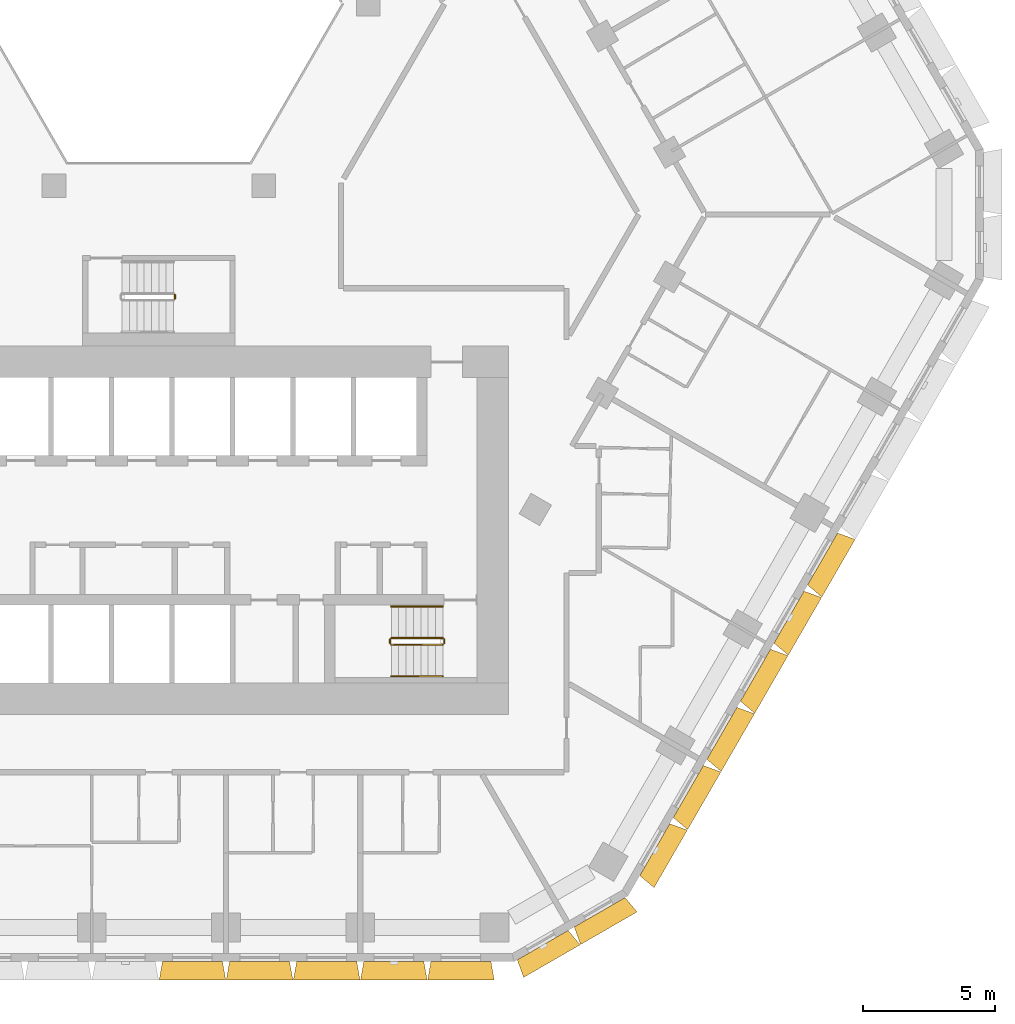
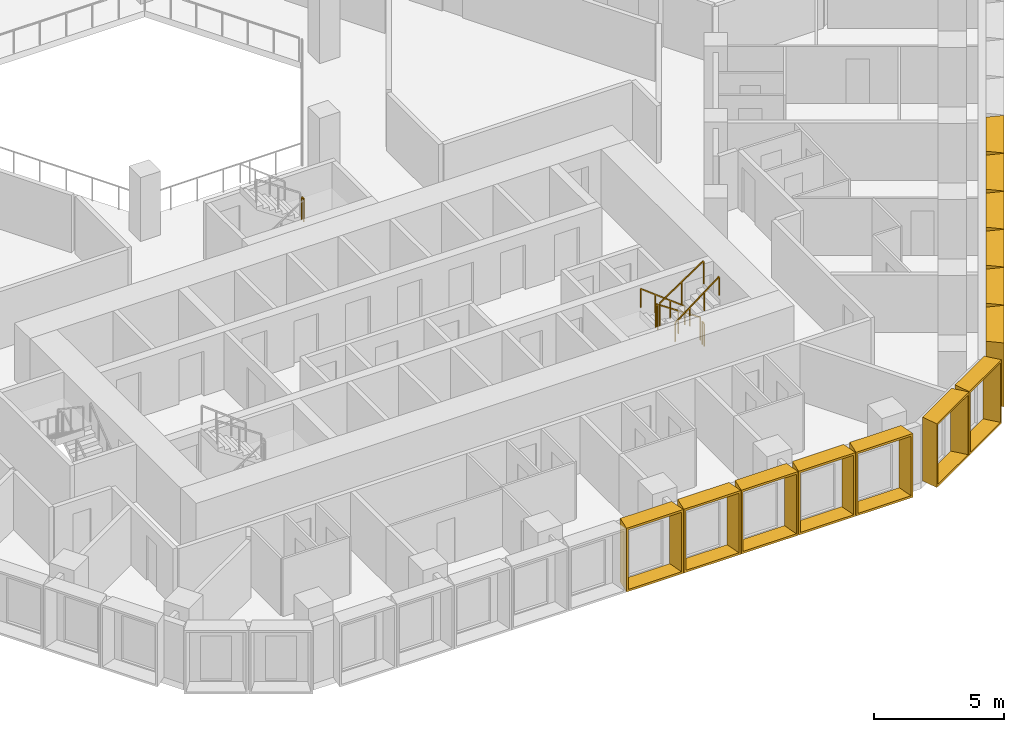
# One storey, part 20 of 21: 13 shading devices, 7 railings.
"""IFC4 building model written with IfcOpenShell, lengths in metres."""

from ifc_helpers import new_model, entity, si_unit, direction, frame, origin, origin_2d, place, context, subcontext, project, spatial, rectangle, extrude, source, transform, mapped, material, type_object, type_shapes, element, save


model = new_model("IFC4")

# Units and contexts
model_context = context("Model", 3, precision=1e-05, world=origin(), true_north=direction((0.0, 1.0)))
body_context = subcontext(model_context, "Body", "Model", "MODEL_VIEW")
ifc_project = project(units=[si_unit("LENGTHUNIT", "METRE"), si_unit("AREAUNIT", "SQUARE_METRE"), si_unit("VOLUMEUNIT", "CUBIC_METRE"), si_unit("PLANEANGLEUNIT", "RADIAN"), si_unit("MASSUNIT", "GRAM", prefix="KILO")], contexts=[model_context])

# Site, building, storey
site_placement = place(None, origin())
site = spatial("IfcSite", under=ifc_project, at=site_placement, CompositionType="ELEMENT")
building_placement = place(site_placement, origin())
building = spatial("IfcBuilding", under=site, at=building_placement, Name="Beryl Residences", CompositionType="ELEMENT")
storey_placement = place(building_placement, frame((0.0, 0.0, 35.39990234375)))
storey = spatial("IfcBuildingStorey", under=building, at=storey_placement, Name="L10", CompositionType="ELEMENT", Elevation=35.39990234375)

# Shading devices
ifc_material_1 = material(Name="Aluminium pale anodised", Category="aluminium")
shading_device_type_1 = type_object("IfcShadingDeviceType", Name="FR250-70A OUTER SKIN frame 700 mm deep, splay 10/10 deg, 2500 x 3000 mm cell", PredefinedType="USERDEFINED", material=ifc_material_1)
cartesian_point_1 = entity("IfcCartesianPoint", [-1.116455078125, 0.0])
cartesian_point_2 = entity("IfcCartesianPoint", [-1.03515625, 0.10009765625])
cartesian_point_3 = entity("IfcCartesianPoint", [-1.239990234375, 0.0])
cartesian_point_4 = entity("IfcCartesianPoint", [-1.15869140625, 0.10009765625])
shared_shape_1 = source(origin(), body_context, "Body", "SweptSolid", [
    entity("IfcExtrudedAreaSolidTapered", entity("IfcArbitraryProfileDefWithVoids", "AREA", None, entity("IfcPolyline", [cartesian_point_1, entity("IfcCartesianPoint", [1.116455078125, 0.0]), entity("IfcCartesianPoint", [1.116455078125, 3.0]), entity("IfcCartesianPoint", [-1.116455078125, 3.0]), cartesian_point_1]), [entity("IfcPolyline", [cartesian_point_2, entity("IfcCartesianPoint", [1.03515625, 0.10009765625]), entity("IfcCartesianPoint", [1.03515625, 2.89990234375]), entity("IfcCartesianPoint", [-1.03515625, 2.89990234375]), cartesian_point_2])]), entity("IfcAxis2Placement3D", entity("IfcCartesianPoint", [0.0, 0.0, 0.0]), entity("IfcDirection", [0.0, 1.0, 0.0]), entity("IfcDirection", [-1.0, 0.0, 0.0])), entity("IfcDirection", [0.0, 0.0, 1.0]), 0.699951171875, entity("IfcArbitraryProfileDefWithVoids", "AREA", None, entity("IfcPolyline", [cartesian_point_3, entity("IfcCartesianPoint", [1.239990234375, 0.0]), entity("IfcCartesianPoint", [1.239990234375, 3.0]), entity("IfcCartesianPoint", [-1.239990234375, 3.0]), cartesian_point_3]), [entity("IfcPolyline", [cartesian_point_4, entity("IfcCartesianPoint", [1.15869140625, 0.10009765625]), entity("IfcCartesianPoint", [1.15869140625, 2.89990234375]), entity("IfcCartesianPoint", [-1.15869140625, 2.89990234375]), cartesian_point_4])])),
])
type_shapes(shading_device_type_1, [shared_shape_1])
for number, where, z_axis, x_axis, name in (
    (1, (14.593017578125, -27.77490234375, 0.0), (0.0, 0.0, 1.0), (-0.866025403784, -0.5, 0.0), "FR250-70A frame L10 S-SE 1"),
    (2, (16.758056640625, -26.52490234375, 0.0), (0.0, 0.0, 1.0), (-0.866025403784, -0.5, 0.0), "FR250-70A frame L10 S-SE 2"),
):
    element("IfcShadingDevice", number, at=place(storey_placement, frame(where, z_axis=z_axis, x_axis=x_axis)), inside=storey, type_object=shading_device_type_1, Name=name, ObjectType="OUTER SKIN", PredefinedType="USERDEFINED", context=body_context, shape_type="MappedRepresentation", body=[
        mapped(shared_shape_1, transform((0.0, 0.0, 0.0))),
    ])
ifc_material_2 = material(Name="Aluminium pale anodised", Category="aluminium")
shading_device_type_2 = type_object("IfcShadingDeviceType", Name="FR255-70A OUTER SKIN frame 700 mm deep, splay 10/10 deg, 2550 x 3000 mm cell", PredefinedType="USERDEFINED", material=ifc_material_2)
cartesian_point_5 = entity("IfcCartesianPoint", [-1.1416015625, 0.0])
cartesian_point_6 = entity("IfcCartesianPoint", [-1.060302734375, 0.10009765625])
cartesian_point_7 = entity("IfcCartesianPoint", [-1.264892578125, 0.0])
cartesian_point_8 = entity("IfcCartesianPoint", [-1.18359375, 0.10009765625])
shared_shape_2 = source(origin(), body_context, "Body", "SweptSolid", [
    entity("IfcExtrudedAreaSolidTapered", entity("IfcArbitraryProfileDefWithVoids", "AREA", None, entity("IfcPolyline", [cartesian_point_5, entity("IfcCartesianPoint", [1.1416015625, 0.0]), entity("IfcCartesianPoint", [1.1416015625, 3.0]), entity("IfcCartesianPoint", [-1.1416015625, 3.0]), cartesian_point_5]), [entity("IfcPolyline", [cartesian_point_6, entity("IfcCartesianPoint", [1.060302734375, 0.10009765625]), entity("IfcCartesianPoint", [1.060302734375, 2.89990234375]), entity("IfcCartesianPoint", [-1.060302734375, 2.89990234375]), cartesian_point_6])]), entity("IfcAxis2Placement3D", entity("IfcCartesianPoint", [0.0, 0.0, 0.0]), entity("IfcDirection", [0.0, 1.0, 0.0]), entity("IfcDirection", [-1.0, 0.0, 0.0])), entity("IfcDirection", [0.0, 0.0, 1.0]), 0.699951171875, entity("IfcArbitraryProfileDefWithVoids", "AREA", None, entity("IfcPolyline", [cartesian_point_7, entity("IfcCartesianPoint", [1.264892578125, 0.0]), entity("IfcCartesianPoint", [1.264892578125, 3.0]), entity("IfcCartesianPoint", [-1.264892578125, 3.0]), cartesian_point_7]), [entity("IfcPolyline", [cartesian_point_8, entity("IfcCartesianPoint", [1.18359375, 0.10009765625]), entity("IfcCartesianPoint", [1.18359375, 2.89990234375]), entity("IfcCartesianPoint", [-1.18359375, 2.89990234375]), cartesian_point_8])])),
])
type_shapes(shading_device_type_2, [shared_shape_2])
for number, where, z_axis, x_axis, name in (
    (3, (1.277099609375, -28.39990234375, 0.0), (0.0, 0.0, 1.0), (-1.0, 0.0, 0.0), "FR255-70A frame L10 S 6"),
    (4, (3.8291015625, -28.39990234375, 0.0), (0.0, 0.0, 1.0), (-1.0, 0.0, 0.0), "FR255-70A frame L10 S 7"),
    (5, (6.381103515625, -28.39990234375, 0.0), (0.0, 0.0, 1.0), (-1.0, 0.0, 0.0), "FR255-70A frame L10 S 8"),
    (6, (8.93310546875, -28.39990234375, 0.0), (0.0, 0.0, 1.0), (-1.0, 0.0, 0.0), "FR255-70A frame L10 S 9"),
    (7, (11.485107421875, -28.39990234375, 0.0), (0.0, 0.0, 1.0), (-1.0, 0.0, 0.0), "FR255-70A frame L10 S 10"),
    (8, (18.85400390625, -24.14501953125, 0.0), (0.0, 0.0, 1.0), (-0.5, -0.866025403784, 0.0), "FR255-70A frame L10 SE 1"),
    (9, (20.1298828125, -21.93505859375, 0.0), (0.0, 0.0, 1.0), (-0.5, -0.866025403784, 0.0), "FR255-70A frame L10 SE 2"),
    (10, (21.406005859375, -19.72412109375, 0.0), (0.0, 0.0, 1.0), (-0.5, -0.866025403784, 0.0), "FR255-70A frame L10 SE 3"),
    (11, (22.681884765625, -17.513916015625, 0.0), (0.0, 0.0, 1.0), (-0.5, -0.866025403784, 0.0), "FR255-70A frame L10 SE 4"),
    (12, (23.9580078125, -15.303955078125, 0.0), (0.0, 0.0, 1.0), (-0.5, -0.866025403784, 0.0), "FR255-70A frame L10 SE 5"),
    (13, (25.23291015625, -13.093994140625, 0.0), (0.0, 0.0, 1.0), (-0.5, -0.866025403784, 0.0), "FR255-70A frame L10 SE 6"),
):
    element("IfcShadingDevice", number, at=place(storey_placement, frame(where, z_axis=z_axis, x_axis=x_axis)), inside=storey, type_object=shading_device_type_2, Name=name, ObjectType="OUTER SKIN", PredefinedType="USERDEFINED", context=body_context, shape_type="MappedRepresentation", body=[
        mapped(shared_shape_2, transform((0.0, 0.0, 0.0))),
    ])

# Railings
ifc_material_3 = material(Name="Stainless steel balustrade with glass infill", Category="steel")
railing_type_1 = type_object("IfcRailingType", Name="SG1 stair guard 1100 mm", PredefinedType="GUARDRAIL", material=ifc_material_3)
railing_1_placement = place(storey_placement, frame((10.800048828125, -16.10009765625, 0.1875)))
element("IfcRailing", 14, at=railing_1_placement, inside=storey, type_object=railing_type_1, Name="L10 ST-3 stair guard 1", PredefinedType="GUARDRAIL", context=body_context, shape_type="SweptSolid", body=[
    extrude(rectangle(XDim=0.048095703125, YDim=0.048095703125, at=origin_2d()), frame((0.0, 0.0, 1.076171875), z_axis=(-0.830902050051, 0.0, 0.556418712142), x_axis=(0.0, -1.0, 0.0)), (0.0, 0.0, 1.0), 2.35888671875),
    extrude(rectangle(XDim=0.0419921875, YDim=0.0419921875, at=origin_2d()), origin(), (0.0, 0.0, 1.0), 1.052001953125),
    extrude(rectangle(XDim=0.0419921875, YDim=0.0419921875, at=origin_2d()), frame((-0.97998046875, 0.0, 0.65625)), (0.0, 0.0, 1.0), 1.052001953125),
    extrude(rectangle(XDim=0.0419921875, YDim=0.0419921875, at=origin_2d()), frame((-1.9599609375, 0.0, 1.3125)), (0.0, 0.0, 1.0), 1.052001953125),
])
railing_2_placement = place(storey_placement, frame((8.7900390625, -16.14990234375, 1.5)))
element("IfcRailing", 15, at=railing_2_placement, inside=storey, type_object=railing_type_1, Name="L10 ST-3 stair guard 2", PredefinedType="GUARDRAIL", context=body_context, shape_type="SweptSolid", body=[
    extrude(rectangle(XDim=0.048095703125, YDim=0.048095703125, at=origin_2d()), frame((0.0, 0.0, 1.076171875), z_axis=(0.0, -1.0, 0.0), x_axis=(1.0, 0.0, 0.0)), (0.0, 0.0, 1.0), 0.150146484375),
    extrude(rectangle(XDim=0.0419921875, YDim=0.0419921875, at=origin_2d()), origin(), (0.0, 0.0, 1.0), 1.052001953125),
    extrude(rectangle(XDim=0.0419921875, YDim=0.0419921875, at=origin_2d()), frame((0.0, -0.150146484375, 0.0)), (0.0, 0.0, 1.0), 1.052001953125),
])
railing_3_placement = place(storey_placement, frame((8.840087890625, -16.35009765625, 1.6875)))
element("IfcRailing", 16, at=railing_3_placement, inside=storey, type_object=railing_type_1, Name="L10 ST-3 stair guard 3", PredefinedType="GUARDRAIL", context=body_context, shape_type="SweptSolid", body=[
    extrude(rectangle(XDim=0.048095703125, YDim=0.048095703125, at=origin_2d()), frame((0.0, 0.0, 1.076171875), z_axis=(0.830902050051, 0.0, 0.556418712142), x_axis=(0.0, 1.0, 0.0)), (0.0, 0.0, 1.0), 2.35888671875),
    extrude(rectangle(XDim=0.0419921875, YDim=0.0419921875, at=origin_2d()), origin(), (0.0, 0.0, 1.0), 1.052001953125),
    extrude(rectangle(XDim=0.0419921875, YDim=0.0419921875, at=origin_2d()), frame((0.97998046875, 0.0, 0.65625)), (0.0, 0.0, 1.0), 1.052001953125),
    extrude(rectangle(XDim=0.0419921875, YDim=0.0419921875, at=origin_2d()), frame((1.9599609375, 0.0, 1.3125)), (0.0, 0.0, 1.0), 1.052001953125),
])
railing_4_placement = place(storey_placement, frame((10.85009765625, -16.14990234375, 0.0)))
element("IfcRailing", 17, at=railing_4_placement, inside=storey, type_object=railing_type_1, Name="L10 ST-3 stair guard 4", PredefinedType="GUARDRAIL", context=body_context, shape_type="SweptSolid", body=[
    extrude(rectangle(XDim=0.048095703125, YDim=0.048095703125, at=origin_2d()), frame((0.0, 0.0, 1.076171875), z_axis=(0.0, -1.0, 0.0), x_axis=(1.0, 0.0, 0.0)), (0.0, 0.0, 1.0), 0.150146484375),
    extrude(rectangle(XDim=0.0419921875, YDim=0.0419921875, at=origin_2d()), origin(), (0.0, 0.0, 1.0), 1.052001953125),
    extrude(rectangle(XDim=0.0419921875, YDim=0.0419921875, at=origin_2d()), frame((0.0, -0.150146484375, 0.0)), (0.0, 0.0, 1.0), 1.052001953125),
])
railing_5_placement = place(storey_placement, frame((0.610107421875, -3.199951171875, 1.5)))
element("IfcRailing", 18, at=railing_5_placement, inside=storey, type_object=railing_type_1, Name="L10 ST-4 stair guard 2", PredefinedType="GUARDRAIL", context=body_context, shape_type="SweptSolid", body=[
    extrude(rectangle(XDim=0.048095703125, YDim=0.048095703125, at=origin_2d()), frame((0.0, 0.0, 1.076171875), z_axis=(0.0, 1.0, 0.0), x_axis=(-1.0, 0.0, 0.0)), (0.0, 0.0, 1.0), 0.14990234375),
    extrude(rectangle(XDim=0.0419921875, YDim=0.0419921875, at=origin_2d()), origin(), (0.0, 0.0, 1.0), 1.052001953125),
    extrude(rectangle(XDim=0.0419921875, YDim=0.0419921875, at=origin_2d()), frame((0.0, 0.14990234375, 0.0)), (0.0, 0.0, 1.0), 1.052001953125),
])
ifc_material_4 = material(Name="Stainless steel handrail", Category="steel")
railing_type_2 = type_object("IfcRailingType", Name="SRL1 stair handrail 900 mm", PredefinedType="HANDRAIL", material=ifc_material_4)
railing_6_placement = place(storey_placement, frame((10.800048828125, -14.89990234375, 0.1875)))
element("IfcRailing", 19, at=railing_6_placement, inside=storey, type_object=railing_type_2, Name="L10 ST-3 stair handrail 1", PredefinedType="HANDRAIL", context=body_context, shape_type="SweptSolid", body=[
    extrude(rectangle(XDim=0.048095703125, YDim=0.048095703125, at=origin_2d()), frame((0.0, 0.0, 0.8759765625), z_axis=(-0.794121922505, 0.0, 0.607758481798), x_axis=(0.0, -1.0, 0.0)), (0.0, 0.0, 1.0), 2.468017578125),
    extrude(rectangle(XDim=0.0419921875, YDim=0.0419921875, at=origin_2d()), origin(), (0.0, 0.0, 1.0), 0.851806640625),
    extrude(rectangle(XDim=0.0419921875, YDim=0.0419921875, at=origin_2d()), frame((-0.6533203125, 0.0, 0.5)), (0.0, 0.0, 1.0), 0.851806640625),
    extrude(rectangle(XDim=0.0419921875, YDim=0.0419921875, at=origin_2d()), frame((-1.306640625, 0.0, 1.0)), (0.0, 0.0, 1.0), 0.851806640625),
    extrude(rectangle(XDim=0.0419921875, YDim=0.0419921875, at=origin_2d()), frame((-1.9599609375, 0.0, 1.5)), (0.0, 0.0, 1.0), 0.851806640625),
])
railing_7_placement = place(storey_placement, frame((8.840087890625, -17.550048828125, 1.6875)))
element("IfcRailing", 20, at=railing_7_placement, inside=storey, type_object=railing_type_2, Name="L10 ST-3 stair handrail 2", PredefinedType="HANDRAIL", context=body_context, shape_type="SweptSolid", body=[
    extrude(rectangle(XDim=0.048095703125, YDim=0.048095703125, at=origin_2d()), frame((0.0, 0.0, 0.8759765625), z_axis=(0.794121922505, 0.0, 0.607758481798), x_axis=(0.0, 1.0, 0.0)), (0.0, 0.0, 1.0), 2.468017578125),
    extrude(rectangle(XDim=0.0419921875, YDim=0.0419921875, at=origin_2d()), origin(), (0.0, 0.0, 1.0), 0.851806640625),
    extrude(rectangle(XDim=0.0419921875, YDim=0.0419921875, at=origin_2d()), frame((0.6533203125, 0.0, 0.5)), (0.0, 0.0, 1.0), 0.851806640625),
    extrude(rectangle(XDim=0.0419921875, YDim=0.0419921875, at=origin_2d()), frame((1.306640625, 0.0, 1.0)), (0.0, 0.0, 1.0), 0.851806640625),
    extrude(rectangle(XDim=0.0419921875, YDim=0.0419921875, at=origin_2d()), frame((1.9599609375, 0.0, 1.5)), (0.0, 0.0, 1.0), 0.851806640625),
])

save(model, "model.ifc")
